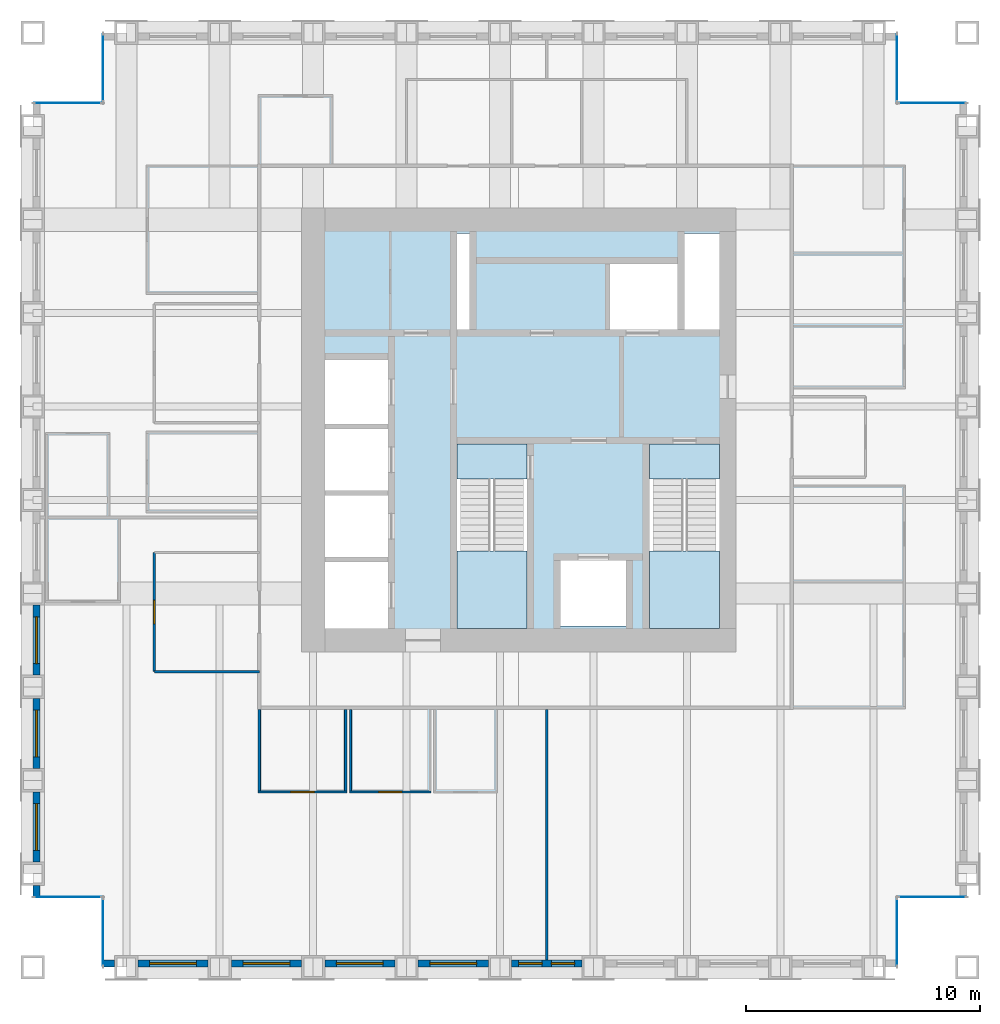
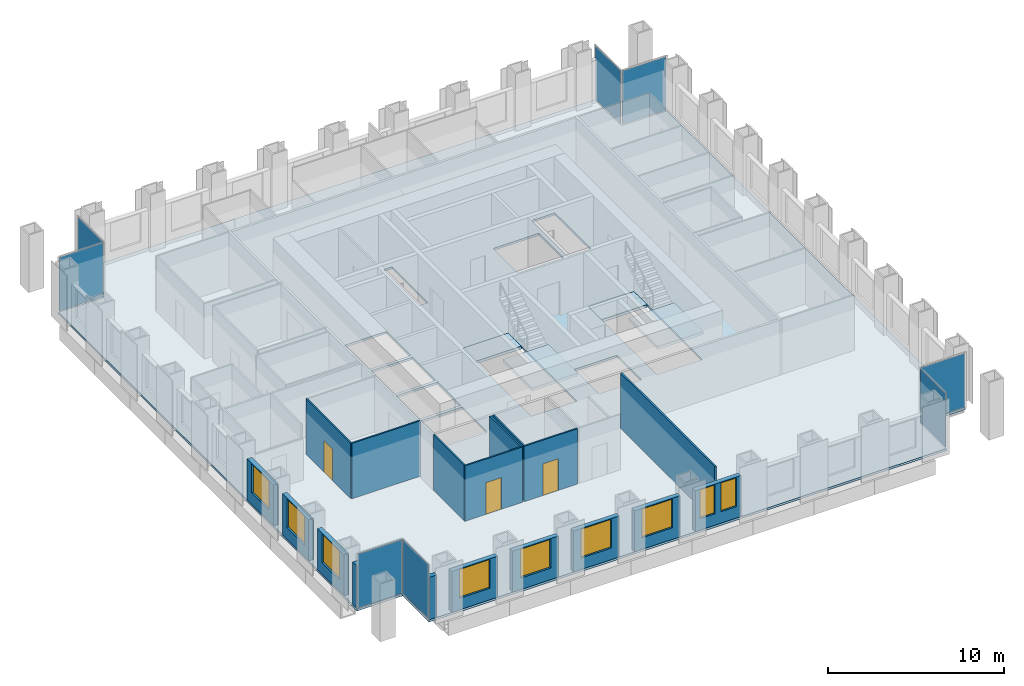
# One storey, part 7 of 13: 18 walls, 9 windows, 8 plates, 5 slabs, 3 doors, 12 openings, 10 elements without a shape of their own.
"""IFC4 building model written with IfcOpenShell, lengths in metres."""

from ifc_helpers import new_model, si_unit, direction, frame, frame_2d, origin, origin_2d, place, context, subcontext, project, spatial, polyline, rectangle, outline, extrude, material, layer, layer_set, type_object, element, fill, aggregate, save


model = new_model("IFC4")

# Units and contexts
model_context = context("Model", 3, precision=1e-05, world=origin(), true_north=direction((0.0, 1.0)))
body_context = subcontext(model_context, "Body", "Model", "MODEL_VIEW")
ifc_project = project(units=[si_unit("LENGTHUNIT", "METRE"), si_unit("AREAUNIT", "SQUARE_METRE"), si_unit("VOLUMEUNIT", "CUBIC_METRE"), si_unit("PLANEANGLEUNIT", "RADIAN"), si_unit("MASSUNIT", "GRAM", prefix="KILO")], contexts=[model_context])

# Site, building, storey
site_placement = place(None, origin())
site = spatial("IfcSite", under=ifc_project, at=site_placement, CompositionType="ELEMENT")
building_placement = place(site_placement, origin())
building = spatial("IfcBuilding", under=site, at=building_placement, Name="Rimbunsela Tower", CompositionType="ELEMENT")
storey_placement = place(building_placement, frame((0.0, 0.0, 290.199951171875)))
storey = spatial("IfcBuildingStorey", under=building, at=storey_placement, Name="L70", CompositionType="ELEMENT", Elevation=290.199951171875)

# Slab
ifc_material_1 = material(Name="Concrete fc' 35 MPa", Category="concrete")
ifc_layer_1 = layer(ifc_material_1, 0.14990234375)
ifc_layer_set_1 = layer_set([ifc_layer_1], Name="Floor slab 150")
slab_type_1 = type_object("IfcSlabType", Name="Floor slab 150", PredefinedType="FLOOR", material=ifc_layer_set_1)
slab_1_placement = place(storey_placement, frame((0.0, 0.0, -0.14990234375)))
element("IfcSlab", 1, at=slab_1_placement, inside=storey, type_object=slab_type_1, Name="Floor slab L70", PredefinedType="FLOOR", context=body_context, shape_type="SweptSolid", body=[
    extrude(outline(polyline([(9.0, 4.0), (43.0, 4.0), (43.0, 7.0), (46.0, 7.0), (46.0, 41.0), (43.0, 41.0), (43.0, 44.0), (9.0, 44.0), (9.0, 41.0), (6.0, 41.0), (6.0, 7.0), (9.0, 7.0), (9.0, 4.0)]), holes=[polyline([(21.199951171875, 21.35009765625), (18.5, 21.35009765625), (18.5, 18.5), (21.199951171875, 18.5), (21.199951171875, 21.35009765625)]), polyline([(21.199951171875, 21.550048828125), (21.199951171875, 24.199951171875), (18.5, 24.199951171875), (18.5, 21.550048828125), (21.199951171875, 21.550048828125)]), polyline([(21.199951171875, 27.050048828125), (18.5, 27.050048828125), (18.5, 24.39990234375), (21.199951171875, 24.39990234375), (21.199951171875, 27.050048828125)]), polyline([(21.199951171875, 30.0), (18.5, 30.0), (18.5, 27.25), (21.199951171875, 27.25), (21.199951171875, 30.0)]), polyline([(27.14990234375, 26.39990234375), (24.14990234375, 26.39990234375), (24.14990234375, 18.60009765625), (27.14990234375, 18.60009765625), (27.14990234375, 26.39990234375)]), polyline([(24.699951171875, 31.300048828125), (24.699951171875, 35.39990234375), (24.14990234375, 35.39990234375), (24.14990234375, 31.300048828125), (24.699951171875, 31.300048828125)]), polyline([(31.39990234375, 21.39990234375), (28.60009765625, 21.39990234375), (28.60009765625, 18.60009765625), (31.39990234375, 18.60009765625), (31.39990234375, 21.39990234375)]), polyline([(33.60009765625, 34.10009765625), (30.60009765625, 34.10009765625), (30.60009765625, 31.300048828125), (33.60009765625, 31.300048828125), (33.60009765625, 34.10009765625)]), polyline([(35.39990234375, 18.60009765625), (35.39990234375, 26.39990234375), (32.39990234375, 26.39990234375), (32.39990234375, 18.60009765625), (35.39990234375, 18.60009765625)]), polyline([(35.39990234375, 31.300048828125), (35.39990234375, 35.39990234375), (33.89990234375, 35.39990234375), (33.89990234375, 31.300048828125), (35.39990234375, 31.300048828125)])]), origin(), (0.0, 0.0, 1.0), 0.14990234375),
])

# Curtain wall, plate
ifc_material_2 = material(Name="Aluminium curtain wall", Category="aluminium")
curtain_wall_type = type_object("IfcCurtainWallType", Name="Corner glazing", PredefinedType="USERDEFINED", material=ifc_material_2)
curtain_wall_1_placement = place(storey_placement, origin())
curtain_wall_1 = element("IfcCurtainWall", 2, at=curtain_wall_1_placement, inside=storey, type_object=curtain_wall_type, Name="Corner glazing L70", ObjectType="CORNER GLAZING", PredefinedType="USERDEFINED")
ifc_material_3 = material(Name="Clear double glazing", Category="glass")
ifc_layer_2 = layer(ifc_material_3, 0.028076171875)
ifc_layer_set_2 = layer_set([ifc_layer_2], Name="Glazed panel clear")
plate_type = type_object("IfcPlateType", Name="Glazed panel clear", PredefinedType="CURTAIN_PANEL", material=ifc_layer_set_2)
plate_1_placement = place(storey_placement, frame((43.0, 5.5, 0.06005859375), z_axis=(0.0, 0.0, 1.0), x_axis=(0.0, 1.0, 0.0)))
plate_1 = element("IfcPlate", 3, at=plate_1_placement, type_object=plate_type, Name="CW5 panel 1.1", PredefinedType="CURTAIN_PANEL", context=body_context, shape_type="SweptSolid", body=[
    extrude(rectangle(XDim=2.8798828125, YDim=0.028076171875, at=origin_2d()), origin(), (0.0, 0.0, 1.0), 3.72998046875),
])
aggregate(curtain_wall_1, [plate_1])

curtain_wall_2_placement = place(storey_placement, origin())
curtain_wall_2 = element("IfcCurtainWall", 4, at=curtain_wall_2_placement, inside=storey, type_object=curtain_wall_type, Name="Corner glazing L70", ObjectType="CORNER GLAZING", PredefinedType="USERDEFINED")
plate_2_placement = place(storey_placement, frame((44.5, 7.0, 0.06005859375), z_axis=(0.0, 0.0, 1.0), x_axis=(1.0, 0.0, 0.0)))
plate_2 = element("IfcPlate", 5, at=plate_2_placement, type_object=plate_type, Name="CW5 panel 1.1", PredefinedType="CURTAIN_PANEL", context=body_context, shape_type="SweptSolid", body=[
    extrude(rectangle(XDim=2.8798828125, YDim=0.028076171875, at=origin_2d()), origin(), (0.0, 0.0, 1.0), 3.72998046875),
])
aggregate(curtain_wall_2, [plate_2])

curtain_wall_3_placement = place(storey_placement, origin())
curtain_wall_3 = element("IfcCurtainWall", 6, at=curtain_wall_3_placement, inside=storey, type_object=curtain_wall_type, Name="Corner glazing L70", ObjectType="CORNER GLAZING", PredefinedType="USERDEFINED")
plate_3_placement = place(storey_placement, frame((44.5, 41.0, 0.06005859375), z_axis=(0.0, 0.0, 1.0), x_axis=(-1.0, 0.0, 0.0)))
plate_3 = element("IfcPlate", 7, at=plate_3_placement, type_object=plate_type, Name="CW5 panel 1.1", PredefinedType="CURTAIN_PANEL", context=body_context, shape_type="SweptSolid", body=[
    extrude(rectangle(XDim=2.8798828125, YDim=0.028076171875, at=origin_2d()), origin(), (0.0, 0.0, 1.0), 3.72998046875),
])
aggregate(curtain_wall_3, [plate_3])

curtain_wall_4_placement = place(storey_placement, origin())
curtain_wall_4 = element("IfcCurtainWall", 8, at=curtain_wall_4_placement, inside=storey, type_object=curtain_wall_type, Name="Corner glazing L70", ObjectType="CORNER GLAZING", PredefinedType="USERDEFINED")
plate_4_placement = place(storey_placement, frame((43.0, 42.5, 0.06005859375), z_axis=(0.0, 0.0, 1.0), x_axis=(0.0, 1.0, 0.0)))
plate_4 = element("IfcPlate", 9, at=plate_4_placement, type_object=plate_type, Name="CW5 panel 1.1", PredefinedType="CURTAIN_PANEL", context=body_context, shape_type="SweptSolid", body=[
    extrude(rectangle(XDim=2.8798828125, YDim=0.028076171875, at=origin_2d()), origin(), (0.0, 0.0, 1.0), 3.72998046875),
])
aggregate(curtain_wall_4, [plate_4])

curtain_wall_5_placement = place(storey_placement, origin())
curtain_wall_5 = element("IfcCurtainWall", 10, at=curtain_wall_5_placement, inside=storey, type_object=curtain_wall_type, Name="Corner glazing L70", ObjectType="CORNER GLAZING", PredefinedType="USERDEFINED")
plate_5_placement = place(storey_placement, frame((9.0, 42.5, 0.06005859375), z_axis=(0.0, 0.0, 1.0), x_axis=(0.0, -1.0, 0.0)))
plate_5 = element("IfcPlate", 11, at=plate_5_placement, type_object=plate_type, Name="CW5 panel 1.1", PredefinedType="CURTAIN_PANEL", context=body_context, shape_type="SweptSolid", body=[
    extrude(rectangle(XDim=2.8798828125, YDim=0.028076171875, at=origin_2d()), origin(), (0.0, 0.0, 1.0), 3.72998046875),
])
aggregate(curtain_wall_5, [plate_5])

curtain_wall_6_placement = place(storey_placement, origin())
curtain_wall_6 = element("IfcCurtainWall", 12, at=curtain_wall_6_placement, inside=storey, type_object=curtain_wall_type, Name="Corner glazing L70", ObjectType="CORNER GLAZING", PredefinedType="USERDEFINED")
plate_6_placement = place(storey_placement, frame((7.5, 41.0, 0.06005859375), z_axis=(0.0, 0.0, 1.0), x_axis=(-1.0, 0.0, 0.0)))
plate_6 = element("IfcPlate", 13, at=plate_6_placement, type_object=plate_type, Name="CW5 panel 1.1", PredefinedType="CURTAIN_PANEL", context=body_context, shape_type="SweptSolid", body=[
    extrude(rectangle(XDim=2.8798828125, YDim=0.028076171875, at=origin_2d()), origin(), (0.0, 0.0, 1.0), 3.72998046875),
])
aggregate(curtain_wall_6, [plate_6])

curtain_wall_7_placement = place(storey_placement, origin())
curtain_wall_7 = element("IfcCurtainWall", 14, at=curtain_wall_7_placement, inside=storey, type_object=curtain_wall_type, Name="Corner glazing L70", ObjectType="CORNER GLAZING", PredefinedType="USERDEFINED")
plate_7_placement = place(storey_placement, frame((7.5, 7.0, 0.06005859375), z_axis=(0.0, 0.0, 1.0), x_axis=(1.0, 0.0, 0.0)))
plate_7 = element("IfcPlate", 15, at=plate_7_placement, type_object=plate_type, Name="CW5 panel 1.1", PredefinedType="CURTAIN_PANEL", context=body_context, shape_type="SweptSolid", body=[
    extrude(rectangle(XDim=2.8798828125, YDim=0.028076171875, at=origin_2d()), origin(), (0.0, 0.0, 1.0), 3.72998046875),
])
aggregate(curtain_wall_7, [plate_7])

curtain_wall_8_placement = place(storey_placement, origin())
curtain_wall_8 = element("IfcCurtainWall", 16, at=curtain_wall_8_placement, inside=storey, type_object=curtain_wall_type, Name="Corner glazing L70", ObjectType="CORNER GLAZING", PredefinedType="USERDEFINED")
plate_8_placement = place(storey_placement, frame((9.0, 5.5, 0.06005859375), z_axis=(0.0, 0.0, 1.0), x_axis=(0.0, -1.0, 0.0)))
plate_8 = element("IfcPlate", 17, at=plate_8_placement, type_object=plate_type, Name="CW5 panel 1.1", PredefinedType="CURTAIN_PANEL", context=body_context, shape_type="SweptSolid", body=[
    extrude(rectangle(XDim=2.8798828125, YDim=0.028076171875, at=origin_2d()), origin(), (0.0, 0.0, 1.0), 3.72998046875),
])
aggregate(curtain_wall_8, [plate_8])

# Stair, slabs
ifc_material_4 = material(Name="Concrete fc' 35 MPa", Category="concrete")
stair_type = type_object("IfcStairType", Name="Exit stair 24 risers", PredefinedType="HALF_TURN_STAIR", material=ifc_material_4)
stair_1_placement = place(storey_placement, origin())
stair_1 = element("IfcStair", 18, at=stair_1_placement, inside=storey, type_object=stair_type, Name="Exit stair A L70", PredefinedType="HALF_TURN_STAIR")
ifc_material_5 = material(Name="Concrete fc' 35 MPa", Category="concrete")
ifc_layer_3 = layer(ifc_material_5, 0.199951171875)
ifc_layer_set_3 = layer_set([ifc_layer_3], Name="Stair landing 200")
slab_type_2 = type_object("IfcSlabType", Name="Stair landing 200", PredefinedType="LANDING", material=ifc_layer_set_3)
slab_2_placement = place(storey_placement, frame((0.0, 0.0, -0.199951171875)))
slab_2 = element("IfcSlab", 19, at=slab_2_placement, type_object=slab_type_2, Name="ST-A landing 1", PredefinedType="LANDING", context=body_context, shape_type="SweptSolid", body=[
    extrude(outline(polyline([(24.14990234375, 24.89990234375), (27.14990234375, 24.89990234375), (27.14990234375, 26.39990234375), (24.14990234375, 26.39990234375), (24.14990234375, 24.89990234375)])), origin(), (0.0, 0.0, 1.0), 0.199951171875),
])
slab_3_placement = place(storey_placement, frame((0.0, 0.0, 1.800048828125)))
slab_3 = element("IfcSlab", 20, at=slab_3_placement, type_object=slab_type_2, Name="ST-A landing 2", PredefinedType="LANDING", context=body_context, shape_type="SweptSolid", body=[
    extrude(outline(polyline([(24.14990234375, 18.5), (27.14990234375, 18.5), (27.14990234375, 21.820068359375), (24.14990234375, 21.820068359375), (24.14990234375, 18.5)])), origin(), (0.0, 0.0, 1.0), 0.199951171875),
])
aggregate(stair_1, [slab_2, slab_3])

stair_2_placement = place(storey_placement, origin())
stair_2 = element("IfcStair", 21, at=stair_2_placement, inside=storey, type_object=stair_type, Name="Exit stair B L70", PredefinedType="HALF_TURN_STAIR")
slab_4_placement = place(storey_placement, frame((0.0, 0.0, -0.199951171875)))
slab_4 = element("IfcSlab", 22, at=slab_4_placement, type_object=slab_type_2, Name="ST-B landing 1", PredefinedType="LANDING", context=body_context, shape_type="SweptSolid", body=[
    extrude(outline(polyline([(32.39990234375, 24.89990234375), (35.39990234375, 24.89990234375), (35.39990234375, 26.39990234375), (32.39990234375, 26.39990234375), (32.39990234375, 24.89990234375)])), origin(), (0.0, 0.0, 1.0), 0.199951171875),
])
slab_5_placement = place(storey_placement, frame((0.0, 0.0, 1.800048828125)))
slab_5 = element("IfcSlab", 23, at=slab_5_placement, type_object=slab_type_2, Name="ST-B landing 2", PredefinedType="LANDING", context=body_context, shape_type="SweptSolid", body=[
    extrude(outline(polyline([(32.39990234375, 18.5), (35.39990234375, 18.5), (35.39990234375, 21.820068359375), (32.39990234375, 21.820068359375), (32.39990234375, 18.5)])), origin(), (0.0, 0.0, 1.0), 0.199951171875),
])
aggregate(stair_2, [slab_4, slab_5])

# Wall, opening, door
ifc_material_6 = material(Name="Gypsum board on steel studs", Category="steel")
ifc_layer_4 = layer(ifc_material_6, 0.10009765625)
ifc_layer_set_4 = layer_set([ifc_layer_4], Name="Office partition 100")
wall_type_1 = type_object("IfcWallType", Name="Office partition 100", PredefinedType="PARTITIONING", material=ifc_layer_set_4)
wall_1_placement = place(storey_placement, frame((15.64990234375, 11.5, 0.0), z_axis=(0.0, 0.0, 1.0), x_axis=(1.0, 0.0, 0.0)))
wall_1 = element("IfcWall", 24, at=wall_1_placement, inside=storey, type_object=wall_type_1, Name="Office partition", PredefinedType="PARTITIONING", context=body_context, shape_type="SweptSolid", body=[
    extrude(rectangle(XDim=3.800048828125, YDim=0.10009765625, at=frame_2d((1.89990234375, 0.0))), origin(), (0.0, 0.0, 1.0), 3.85009765625),
])
opening_1_placement = place(wall_1_placement, frame((1.39990234375, 0.0, 0.0)))
opening_1 = element("IfcOpeningElement", 25, at=opening_1_placement, cuts=wall_1, Name="Opening D17", PredefinedType="OPENING", context=body_context, shape_type="SweptSolid", body=[
    extrude(rectangle(XDim=1.0, YDim=2.199951171875, at=frame_2d((0.5, 1.10009765625))), frame((0.0, 0.06005859375, 0.0), z_axis=(0.0, -1.0, 0.0), x_axis=(1.0, 0.0, 0.0)), (0.0, 0.0, 1.0), 0.1201171875),
])
ifc_material_7 = material(Name="Glazed aluminium door", Category="aluminium")
door_type_1 = type_object("IfcDoorType", Name="Meeting room door 1000 glazed", OperationType="SINGLE_SWING_RIGHT", PredefinedType="DOOR", material=ifc_material_7)
door_1_placement = place(opening_1_placement, origin())
door_1 = element("IfcDoor", 26, at=door_1_placement, inside=storey, type_object=door_type_1, Name="Meeting room door", OperationType="SINGLE_SWING_RIGHT", OverallHeight=2.199951171875, OverallWidth=1.0, PredefinedType="DOOR", context=body_context, shape_type="SweptSolid", body=[
    extrude(rectangle(XDim=1.0, YDim=2.199951171875, at=frame_2d((0.5, 1.10009765625))), frame((0.0, 0.02490234375, 0.0), z_axis=(0.0, -1.0, 0.0), x_axis=(1.0, 0.0, 0.0)), (0.0, 0.0, 1.0), 0.050048828125),
])
fill(opening_1, door_1)

wall_2_placement = place(storey_placement, frame((19.550048828125, 11.5, 0.0), z_axis=(0.0, 0.0, 1.0), x_axis=(1.0, 0.0, 0.0)))
wall_2 = element("IfcWall", 27, at=wall_2_placement, inside=storey, type_object=wall_type_1, Name="Office partition", PredefinedType="PARTITIONING", context=body_context, shape_type="SweptSolid", body=[
    extrude(rectangle(XDim=3.5, YDim=0.10009765625, at=frame_2d((1.75, 0.0))), origin(), (0.0, 0.0, 1.0), 3.85009765625),
])
opening_2_placement = place(wall_2_placement, frame((1.25, 0.0, 0.0)))
opening_2 = element("IfcOpeningElement", 28, at=opening_2_placement, cuts=wall_2, Name="Opening D16", PredefinedType="OPENING", context=body_context, shape_type="SweptSolid", body=[
    extrude(rectangle(XDim=1.0, YDim=2.199951171875, at=frame_2d((0.5, 1.10009765625))), frame((0.0, 0.06005859375, 0.0), z_axis=(0.0, -1.0, 0.0), x_axis=(1.0, 0.0, 0.0)), (0.0, 0.0, 1.0), 0.1201171875),
])
ifc_material_8 = material(Name="Timber door", Category="wood")
door_type_2 = type_object("IfcDoorType", Name="Office door 1000", OperationType="SINGLE_SWING_LEFT", PredefinedType="DOOR", material=ifc_material_8)
door_2_placement = place(opening_2_placement, origin())
door_2 = element("IfcDoor", 29, at=door_2_placement, inside=storey, type_object=door_type_2, Name="Office door", OperationType="SINGLE_SWING_LEFT", OverallHeight=2.199951171875, OverallWidth=1.0, PredefinedType="DOOR", context=body_context, shape_type="SweptSolid", body=[
    extrude(rectangle(XDim=1.0, YDim=2.199951171875, at=frame_2d((0.5, 1.10009765625))), frame((0.0, 0.02490234375, 0.0), z_axis=(0.0, -1.0, 0.0), x_axis=(1.0, 0.0, 0.0)), (0.0, 0.0, 1.0), 0.050048828125),
])
fill(opening_2, door_2)

# Walls
for number, where, z_axis, x_axis, name in (
    (30, (15.699951171875, 11.550048828125, 0.0), (0.0, 0.0, 1.0), (0.0, 1.0, 0.0), "Office partition"),
    (31, (19.39990234375, 11.550048828125, 0.0), (0.0, 0.0, 1.0), (0.0, 1.0, 0.0), "Office partition"),
    (32, (19.60009765625, 11.550048828125, 0.0), (0.0, 0.0, 1.0), (0.0, 1.0, 0.0), "Office partition"),
):
    element("IfcWall", number, at=place(storey_placement, frame(where, z_axis=z_axis, x_axis=x_axis)), inside=storey, type_object=wall_type_1, Name=name, PredefinedType="PARTITIONING", context=body_context, shape_type="SweptSolid", body=[
        extrude(rectangle(XDim=3.474853515625, YDim=0.10009765625, at=frame_2d((1.7373046875, 0.0))), origin(), (0.0, 0.0, 1.0), 3.85009765625),
    ])

# Wall, opening, door
wall_3_placement = place(storey_placement, frame((11.199951171875, 21.75, 0.0), z_axis=(0.0, 0.0, 1.0), x_axis=(0.0, -1.0, 0.0)))
wall_3 = element("IfcWall", 33, at=wall_3_placement, inside=storey, type_object=wall_type_1, Name="Office partition", PredefinedType="PARTITIONING", context=body_context, shape_type="SweptSolid", body=[
    extrude(rectangle(XDim=5.10009765625, YDim=0.10009765625, at=frame_2d((2.550048828125, 0.0))), origin(), (0.0, 0.0, 1.0), 3.85009765625),
])
opening_3_placement = place(wall_3_placement, frame((2.050048828125, 0.0, 0.0)))
opening_3 = element("IfcOpeningElement", 34, at=opening_3_placement, cuts=wall_3, Name="Opening D17", PredefinedType="OPENING", context=body_context, shape_type="SweptSolid", body=[
    extrude(rectangle(XDim=1.0, YDim=2.199951171875, at=frame_2d((0.5, 1.10009765625))), frame((0.0, 0.06005859375, 0.0), z_axis=(0.0, -1.0, 0.0), x_axis=(1.0, 0.0, 0.0)), (0.0, 0.0, 1.0), 0.1201171875),
])
door_3_placement = place(opening_3_placement, origin())
door_3 = element("IfcDoor", 35, at=door_3_placement, inside=storey, type_object=door_type_1, Name="Reception door", OperationType="SINGLE_SWING_RIGHT", OverallHeight=2.199951171875, OverallWidth=1.0, PredefinedType="DOOR", context=body_context, shape_type="SweptSolid", body=[
    extrude(rectangle(XDim=1.0, YDim=2.199951171875, at=frame_2d((0.5, 1.10009765625))), frame((0.0, 0.02490234375, 0.0), z_axis=(0.0, -1.0, 0.0), x_axis=(1.0, 0.0, 0.0)), (0.0, 0.0, 1.0), 0.050048828125),
])
fill(opening_3, door_3)

# Walls
wall_4_placement = place(storey_placement, frame((11.199951171875, 16.64990234375, 0.0), z_axis=(0.0, 0.0, 1.0), x_axis=(1.0, 0.0, 0.0)))
element("IfcWall", 36, at=wall_4_placement, inside=storey, type_object=wall_type_1, Name="Office partition", PredefinedType="PARTITIONING", context=body_context, shape_type="SweptSolid", body=[
    extrude(rectangle(XDim=4.5, YDim=0.10009765625, at=frame_2d((2.25, 0.0))), origin(), (0.0, 0.0, 1.0), 3.85009765625),
])
ifc_material_9 = material(Name="Precast concrete fc' 35 MPa", Category="concrete")
ifc_layer_5 = layer(ifc_material_9, 0.300048828125)
ifc_layer_set_5 = layer_set([ifc_layer_5], Name="Precast concrete fc' 35 MPa")
wall_type_2 = type_object("IfcWallType", Name="Precast facade panel 300", PredefinedType="ELEMENTEDWALL", material=ifc_layer_set_5)
wall_5_placement = place(storey_placement, frame((9.030029296875, 4.14990234375, 0.0), z_axis=(0.0, 0.0, 1.0), x_axis=(1.0, 0.0, 0.0)))
element("IfcWall", 37, at=wall_5_placement, inside=storey, type_object=wall_type_2, Name="Facade panel S L70", PredefinedType="ELEMENTEDWALL", context=body_context, shape_type="SweptSolid", body=[
    extrude(rectangle(XDim=0.469970703125, YDim=0.300048828125, at=frame_2d((0.23486328125, 0.0))), origin(), (0.0, 0.0, 1.0), 2.949951171875),
])

# Wall, opening, window
wall_6_placement = place(storey_placement, frame((10.5, 4.14990234375, 0.0), z_axis=(0.0, 0.0, 1.0), x_axis=(1.0, 0.0, 0.0)))
wall_6 = element("IfcWall", 38, at=wall_6_placement, inside=storey, type_object=wall_type_2, Name="Facade panel S L70", PredefinedType="ELEMENTEDWALL", context=body_context, shape_type="SweptSolid", body=[
    extrude(rectangle(XDim=3.0, YDim=0.300048828125, at=frame_2d((1.5, 0.0))), origin(), (0.0, 0.0, 1.0), 2.85009765625),
])
opening_4_placement = place(wall_6_placement, frame((0.5, 0.0, 0.800048828125)))
opening_4 = element("IfcOpeningElement", 39, at=opening_4_placement, cuts=wall_6, Name="Opening W1", PredefinedType="OPENING", context=body_context, shape_type="SweptSolid", body=[
    extrude(rectangle(XDim=2.0, YDim=2.0, at=frame_2d((1.0, 1.0))), frame((0.0, 0.159912109375, 0.0), z_axis=(0.0, -1.0, 0.0), x_axis=(1.0, 0.0, 0.0)), (0.0, 0.0, 1.0), 0.320068359375),
])
ifc_material_10 = material(Name="Clear glass in aluminium frame", Category="aluminium")
window_type_1 = type_object("IfcWindowType", Name="Window W1 2000x2000", PartitioningType="DOUBLE_PANEL_VERTICAL", PredefinedType="WINDOW", material=ifc_material_10)
window_1_placement = place(opening_4_placement, origin())
window_1 = element("IfcWindow", 40, at=window_1_placement, inside=storey, type_object=window_type_1, Name="Window L70", OverallHeight=2.0, OverallWidth=2.0, PartitioningType="SINGLE_PANEL", PredefinedType="WINDOW", context=body_context, shape_type="SweptSolid", body=[
    extrude(rectangle(XDim=2.0, YDim=2.0, at=frame_2d((1.0, 1.0))), frame((0.0, 0.030029296875, 0.0), z_axis=(0.0, -1.0, 0.0), x_axis=(1.0, 0.0, 0.0)), (0.0, 0.0, 1.0), 0.06005859375),
])
fill(opening_4, window_1)

wall_7_placement = place(storey_placement, frame((14.5, 4.14990234375, 0.0), z_axis=(0.0, 0.0, 1.0), x_axis=(1.0, 0.0, 0.0)))
wall_7 = element("IfcWall", 41, at=wall_7_placement, inside=storey, type_object=wall_type_2, Name="Facade panel S L70", PredefinedType="ELEMENTEDWALL", context=body_context, shape_type="SweptSolid", body=[
    extrude(rectangle(XDim=3.0, YDim=0.300048828125, at=frame_2d((1.5, 0.0))), origin(), (0.0, 0.0, 1.0), 2.85009765625),
])
opening_5_placement = place(wall_7_placement, frame((0.5, 0.0, 0.800048828125)))
opening_5 = element("IfcOpeningElement", 42, at=opening_5_placement, cuts=wall_7, Name="Opening W1", PredefinedType="OPENING", context=body_context, shape_type="SweptSolid", body=[
    extrude(rectangle(XDim=2.0, YDim=2.0, at=frame_2d((1.0, 1.0))), frame((0.0, 0.159912109375, 0.0), z_axis=(0.0, -1.0, 0.0), x_axis=(1.0, 0.0, 0.0)), (0.0, 0.0, 1.0), 0.320068359375),
])
window_2_placement = place(opening_5_placement, origin())
window_2 = element("IfcWindow", 43, at=window_2_placement, inside=storey, type_object=window_type_1, Name="Window L70", OverallHeight=2.0, OverallWidth=2.0, PartitioningType="SINGLE_PANEL", PredefinedType="WINDOW", context=body_context, shape_type="SweptSolid", body=[
    extrude(rectangle(XDim=2.0, YDim=2.0, at=frame_2d((1.0, 1.0))), frame((0.0, 0.030029296875, 0.0), z_axis=(0.0, -1.0, 0.0), x_axis=(1.0, 0.0, 0.0)), (0.0, 0.0, 1.0), 0.06005859375),
])
fill(opening_5, window_2)

wall_8_placement = place(storey_placement, frame((18.5, 4.14990234375, 0.0), z_axis=(0.0, 0.0, 1.0), x_axis=(1.0, 0.0, 0.0)))
wall_8 = element("IfcWall", 44, at=wall_8_placement, inside=storey, type_object=wall_type_2, Name="Facade panel S L70", PredefinedType="ELEMENTEDWALL", context=body_context, shape_type="SweptSolid", body=[
    extrude(rectangle(XDim=3.0, YDim=0.300048828125, at=frame_2d((1.5, 0.0))), origin(), (0.0, 0.0, 1.0), 2.85009765625),
])
opening_6_placement = place(wall_8_placement, frame((0.5, 0.0, 0.800048828125)))
opening_6 = element("IfcOpeningElement", 45, at=opening_6_placement, cuts=wall_8, Name="Opening W1", PredefinedType="OPENING", context=body_context, shape_type="SweptSolid", body=[
    extrude(rectangle(XDim=2.0, YDim=2.0, at=frame_2d((1.0, 1.0))), frame((0.0, 0.159912109375, 0.0), z_axis=(0.0, -1.0, 0.0), x_axis=(1.0, 0.0, 0.0)), (0.0, 0.0, 1.0), 0.320068359375),
])
window_3_placement = place(opening_6_placement, origin())
window_3 = element("IfcWindow", 46, at=window_3_placement, inside=storey, type_object=window_type_1, Name="Window L70", OverallHeight=2.0, OverallWidth=2.0, PartitioningType="SINGLE_PANEL", PredefinedType="WINDOW", context=body_context, shape_type="SweptSolid", body=[
    extrude(rectangle(XDim=2.0, YDim=2.0, at=frame_2d((1.0, 1.0))), frame((0.0, 0.030029296875, 0.0), z_axis=(0.0, -1.0, 0.0), x_axis=(1.0, 0.0, 0.0)), (0.0, 0.0, 1.0), 0.06005859375),
])
fill(opening_6, window_3)

wall_9_placement = place(storey_placement, frame((22.5, 4.14990234375, 0.0), z_axis=(0.0, 0.0, 1.0), x_axis=(1.0, 0.0, 0.0)))
wall_9 = element("IfcWall", 47, at=wall_9_placement, inside=storey, type_object=wall_type_2, Name="Facade panel S L70", PredefinedType="ELEMENTEDWALL", context=body_context, shape_type="SweptSolid", body=[
    extrude(rectangle(XDim=3.0, YDim=0.300048828125, at=frame_2d((1.5, 0.0))), origin(), (0.0, 0.0, 1.0), 2.85009765625),
])
opening_7_placement = place(wall_9_placement, frame((0.5, 0.0, 0.800048828125)))
opening_7 = element("IfcOpeningElement", 48, at=opening_7_placement, cuts=wall_9, Name="Opening W1", PredefinedType="OPENING", context=body_context, shape_type="SweptSolid", body=[
    extrude(rectangle(XDim=2.0, YDim=2.0, at=frame_2d((1.0, 1.0))), frame((0.0, 0.159912109375, 0.0), z_axis=(0.0, -1.0, 0.0), x_axis=(1.0, 0.0, 0.0)), (0.0, 0.0, 1.0), 0.320068359375),
])
window_4_placement = place(opening_7_placement, origin())
window_4 = element("IfcWindow", 49, at=window_4_placement, inside=storey, type_object=window_type_1, Name="Window L70", OverallHeight=2.0, OverallWidth=2.0, PartitioningType="SINGLE_PANEL", PredefinedType="WINDOW", context=body_context, shape_type="SweptSolid", body=[
    extrude(rectangle(XDim=2.0, YDim=2.0, at=frame_2d((1.0, 1.0))), frame((0.0, 0.030029296875, 0.0), z_axis=(0.0, -1.0, 0.0), x_axis=(1.0, 0.0, 0.0)), (0.0, 0.0, 1.0), 0.06005859375),
])
fill(opening_7, window_4)

# Wall, openings, windows
wall_10_placement = place(storey_placement, frame((26.5, 4.14990234375, 0.0), z_axis=(0.0, 0.0, 1.0), x_axis=(1.0, 0.0, 0.0)))
wall_10 = element("IfcWall", 50, at=wall_10_placement, inside=storey, type_object=wall_type_2, Name="Facade panel S L70", PredefinedType="ELEMENTEDWALL", context=body_context, shape_type="SweptSolid", body=[
    extrude(rectangle(XDim=3.0, YDim=0.300048828125, at=frame_2d((1.5, 0.0))), origin(), (0.0, 0.0, 1.0), 2.85009765625),
])
opening_8_placement = place(wall_10_placement, frame((0.300048828125, 0.0, 0.800048828125)))
opening_8 = element("IfcOpeningElement", 51, at=opening_8_placement, cuts=wall_10, Name="Opening W5", PredefinedType="OPENING", context=body_context, shape_type="SweptSolid", body=[
    extrude(rectangle(XDim=1.0, YDim=2.0, at=frame_2d((0.5, 1.0))), frame((0.0, 0.159912109375, 0.0), z_axis=(0.0, -1.0, 0.0), x_axis=(1.0, 0.0, 0.0)), (0.0, 0.0, 1.0), 0.320068359375),
])
opening_9_placement = place(wall_10_placement, frame((1.699951171875, 0.0, 0.800048828125)))
opening_9 = element("IfcOpeningElement", 52, at=opening_9_placement, cuts=wall_10, Name="Opening W5", PredefinedType="OPENING", context=body_context, shape_type="SweptSolid", body=[
    extrude(rectangle(XDim=1.0, YDim=2.0, at=frame_2d((0.5, 1.0))), frame((0.0, 0.159912109375, 0.0), z_axis=(0.0, -1.0, 0.0), x_axis=(1.0, 0.0, 0.0)), (0.0, 0.0, 1.0), 0.320068359375),
])
ifc_material_11 = material(Name="Clear glass in aluminium frame", Category="aluminium")
window_type_2 = type_object("IfcWindowType", Name="Window W5 1000x2000", PartitioningType="SINGLE_PANEL", PredefinedType="WINDOW", material=ifc_material_11)
window_5_placement = place(opening_8_placement, origin())
window_5 = element("IfcWindow", 53, at=window_5_placement, inside=storey, type_object=window_type_2, Name="Window L70", OverallHeight=2.0, OverallWidth=1.0, PartitioningType="SINGLE_PANEL", PredefinedType="WINDOW", context=body_context, shape_type="SweptSolid", body=[
    extrude(rectangle(XDim=1.0, YDim=2.0, at=frame_2d((0.5, 1.0))), frame((0.0, 0.030029296875, 0.0), z_axis=(0.0, -1.0, 0.0), x_axis=(1.0, 0.0, 0.0)), (0.0, 0.0, 1.0), 0.06005859375),
])
fill(opening_8, window_5)
window_6_placement = place(opening_9_placement, origin())
window_6 = element("IfcWindow", 54, at=window_6_placement, inside=storey, type_object=window_type_2, Name="Window L70", OverallHeight=2.0, OverallWidth=1.0, PartitioningType="SINGLE_PANEL", PredefinedType="WINDOW", context=body_context, shape_type="SweptSolid", body=[
    extrude(rectangle(XDim=1.0, YDim=2.0, at=frame_2d((0.5, 1.0))), frame((0.0, 0.030029296875, 0.0), z_axis=(0.0, -1.0, 0.0), x_axis=(1.0, 0.0, 0.0)), (0.0, 0.0, 1.0), 0.06005859375),
])
fill(opening_9, window_6)

# Wall
wall_11_placement = place(storey_placement, frame((6.14990234375, 7.5, 0.0), z_axis=(0.0, 0.0, 1.0), x_axis=(0.0, -1.0, 0.0)))
element("IfcWall", 55, at=wall_11_placement, inside=storey, type_object=wall_type_2, Name="Facade panel W L70", PredefinedType="ELEMENTEDWALL", context=body_context, shape_type="SweptSolid", body=[
    extrude(rectangle(XDim=0.469970703125, YDim=0.300048828125, at=frame_2d((0.23486328125, 0.0))), origin(), (0.0, 0.0, 1.0), 2.949951171875),
])

# Wall, opening, window
wall_12_placement = place(storey_placement, frame((6.14990234375, 11.5, 0.0), z_axis=(0.0, 0.0, 1.0), x_axis=(0.0, -1.0, 0.0)))
wall_12 = element("IfcWall", 56, at=wall_12_placement, inside=storey, type_object=wall_type_2, Name="Facade panel W L70", PredefinedType="ELEMENTEDWALL", context=body_context, shape_type="SweptSolid", body=[
    extrude(rectangle(XDim=3.0, YDim=0.300048828125, at=frame_2d((1.5, 0.0))), origin(), (0.0, 0.0, 1.0), 2.85009765625),
])
opening_10_placement = place(wall_12_placement, frame((0.5, 0.0, 0.800048828125)))
opening_10 = element("IfcOpeningElement", 57, at=opening_10_placement, cuts=wall_12, Name="Opening W1", PredefinedType="OPENING", context=body_context, shape_type="SweptSolid", body=[
    extrude(rectangle(XDim=2.0, YDim=2.0, at=frame_2d((1.0, 1.0))), frame((0.0, 0.159912109375, 0.0), z_axis=(0.0, -1.0, 0.0), x_axis=(1.0, 0.0, 0.0)), (0.0, 0.0, 1.0), 0.320068359375),
])
window_7_placement = place(opening_10_placement, origin())
window_7 = element("IfcWindow", 58, at=window_7_placement, inside=storey, type_object=window_type_1, Name="Window L70", OverallHeight=2.0, OverallWidth=2.0, PartitioningType="SINGLE_PANEL", PredefinedType="WINDOW", context=body_context, shape_type="SweptSolid", body=[
    extrude(rectangle(XDim=2.0, YDim=2.0, at=frame_2d((1.0, 1.0))), frame((0.0, 0.030029296875, 0.0), z_axis=(0.0, -1.0, 0.0), x_axis=(1.0, 0.0, 0.0)), (0.0, 0.0, 1.0), 0.06005859375),
])
fill(opening_10, window_7)

wall_13_placement = place(storey_placement, frame((6.14990234375, 15.5, 0.0), z_axis=(0.0, 0.0, 1.0), x_axis=(0.0, -1.0, 0.0)))
wall_13 = element("IfcWall", 59, at=wall_13_placement, inside=storey, type_object=wall_type_2, Name="Facade panel W L70", PredefinedType="ELEMENTEDWALL", context=body_context, shape_type="SweptSolid", body=[
    extrude(rectangle(XDim=3.0, YDim=0.300048828125, at=frame_2d((1.5, 0.0))), origin(), (0.0, 0.0, 1.0), 2.85009765625),
])
opening_11_placement = place(wall_13_placement, frame((0.5, 0.0, 0.800048828125)))
opening_11 = element("IfcOpeningElement", 60, at=opening_11_placement, cuts=wall_13, Name="Opening W1", PredefinedType="OPENING", context=body_context, shape_type="SweptSolid", body=[
    extrude(rectangle(XDim=2.0, YDim=2.0, at=frame_2d((1.0, 1.0))), frame((0.0, 0.159912109375, 0.0), z_axis=(0.0, -1.0, 0.0), x_axis=(1.0, 0.0, 0.0)), (0.0, 0.0, 1.0), 0.320068359375),
])
window_8_placement = place(opening_11_placement, origin())
window_8 = element("IfcWindow", 61, at=window_8_placement, inside=storey, type_object=window_type_1, Name="Window L70", OverallHeight=2.0, OverallWidth=2.0, PartitioningType="SINGLE_PANEL", PredefinedType="WINDOW", context=body_context, shape_type="SweptSolid", body=[
    extrude(rectangle(XDim=2.0, YDim=2.0, at=frame_2d((1.0, 1.0))), frame((0.0, 0.030029296875, 0.0), z_axis=(0.0, -1.0, 0.0), x_axis=(1.0, 0.0, 0.0)), (0.0, 0.0, 1.0), 0.06005859375),
])
fill(opening_11, window_8)

wall_14_placement = place(storey_placement, frame((6.14990234375, 19.5, 0.0), z_axis=(0.0, 0.0, 1.0), x_axis=(0.0, -1.0, 0.0)))
wall_14 = element("IfcWall", 62, at=wall_14_placement, inside=storey, type_object=wall_type_2, Name="Facade panel W L70", PredefinedType="ELEMENTEDWALL", context=body_context, shape_type="SweptSolid", body=[
    extrude(rectangle(XDim=3.0, YDim=0.300048828125, at=frame_2d((1.5, 0.0))), origin(), (0.0, 0.0, 1.0), 2.85009765625),
])
opening_12_placement = place(wall_14_placement, frame((0.5, 0.0, 0.800048828125)))
opening_12 = element("IfcOpeningElement", 63, at=opening_12_placement, cuts=wall_14, Name="Opening W1", PredefinedType="OPENING", context=body_context, shape_type="SweptSolid", body=[
    extrude(rectangle(XDim=2.0, YDim=2.0, at=frame_2d((1.0, 1.0))), frame((0.0, 0.159912109375, 0.0), z_axis=(0.0, -1.0, 0.0), x_axis=(1.0, 0.0, 0.0)), (0.0, 0.0, 1.0), 0.320068359375),
])
window_9_placement = place(opening_12_placement, origin())
window_9 = element("IfcWindow", 64, at=window_9_placement, inside=storey, type_object=window_type_1, Name="Window L70", OverallHeight=2.0, OverallWidth=2.0, PartitioningType="SINGLE_PANEL", PredefinedType="WINDOW", context=body_context, shape_type="SweptSolid", body=[
    extrude(rectangle(XDim=2.0, YDim=2.0, at=frame_2d((1.0, 1.0))), frame((0.0, 0.030029296875, 0.0), z_axis=(0.0, -1.0, 0.0), x_axis=(1.0, 0.0, 0.0)), (0.0, 0.0, 1.0), 0.06005859375),
])
fill(opening_12, window_9)

# Wall
ifc_material_12 = material(Name="Gypsum board on steel studs", Category="steel")
ifc_layer_6 = layer(ifc_material_12, 0.1201171875)
ifc_layer_set_6 = layer_set([ifc_layer_6], Name="Tenancy partition 120")
wall_type_3 = type_object("IfcWallType", Name="Tenancy partition 120", PredefinedType="PARTITIONING", material=ifc_layer_set_6)
wall_15_placement = place(storey_placement, frame((28.0, 4.300048828125, 0.0), z_axis=(0.0, 0.0, 1.0), x_axis=(0.0, 1.0, 0.0)))
element("IfcWall", 65, at=wall_15_placement, inside=storey, type_object=wall_type_3, Name="Tenancy partition south", PredefinedType="PARTITIONING", context=body_context, shape_type="SweptSolid", body=[
    extrude(rectangle(XDim=10.724853515625, YDim=0.1201171875, at=frame_2d((5.3623046875, 0.0))), origin(), (0.0, 0.0, 1.0), 3.85009765625),
])

save(model, "model.ifc")
